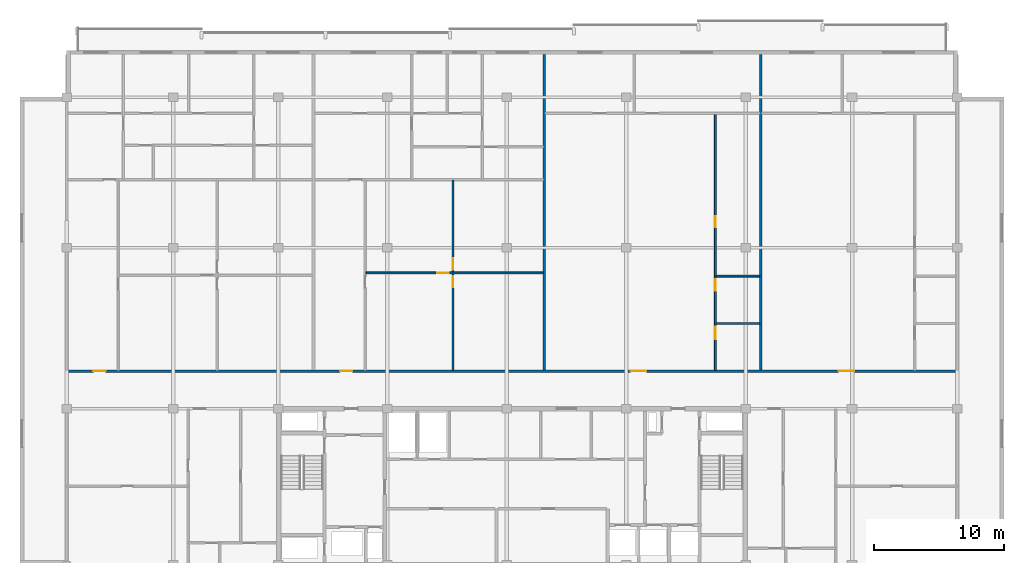
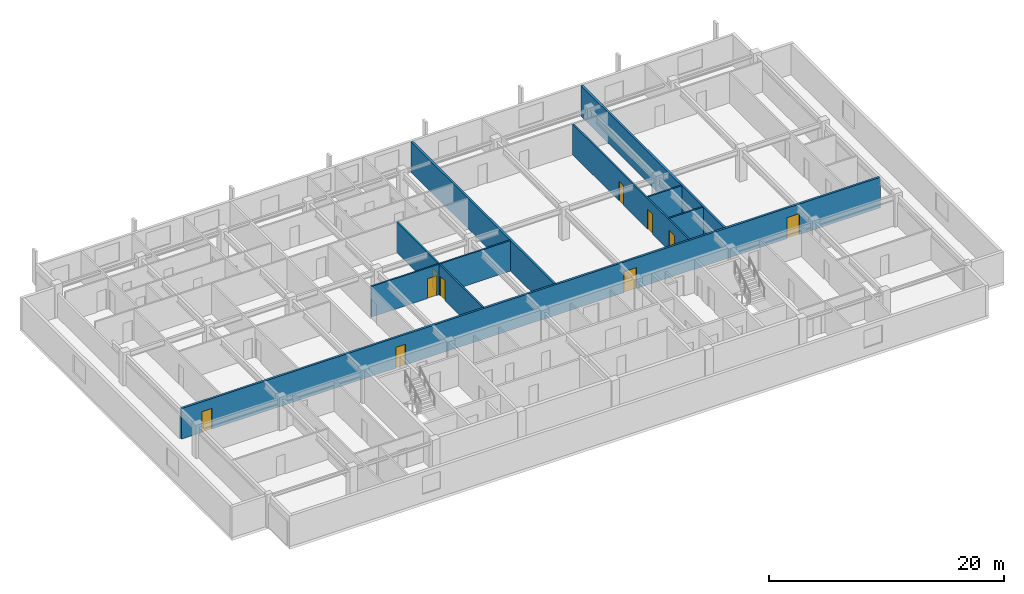
# One storey, part 6 of 11: 10 doors, 8 walls, 10 openings.
"""IFC4 building model written with IfcOpenShell, lengths in metres."""

from ifc_helpers import new_model, si_unit, direction, frame, frame_2d, origin, place, context, subcontext, project, spatial, rectangle, extrude, material, layer, layer_set, type_object, element, fill, save


model = new_model("IFC4")

# Units and contexts
model_context = context("Model", 3, precision=1e-05, world=origin(), true_north=direction((0.0, 1.0)))
body_context = subcontext(model_context, "Body", "Model", "MODEL_VIEW")
ifc_project = project(units=[si_unit("LENGTHUNIT", "METRE"), si_unit("AREAUNIT", "SQUARE_METRE"), si_unit("VOLUMEUNIT", "CUBIC_METRE"), si_unit("PLANEANGLEUNIT", "RADIAN"), si_unit("MASSUNIT", "GRAM", prefix="KILO")], contexts=[model_context])

# Site, building, storey
site_placement = place(None, origin())
site = spatial("IfcSite", under=ifc_project, at=site_placement, CompositionType="ELEMENT")
building_placement = place(site_placement, origin())
building = spatial("IfcBuilding", under=site, at=building_placement, Name="Korimba Cascade Residences", CompositionType="ELEMENT")
storey_placement = place(building_placement, frame((0.0, 0.0, 249.35009765625)))
storey = spatial("IfcBuildingStorey", under=building, at=storey_placement, Name="L72", CompositionType="ELEMENT", Elevation=249.35009765625)

# Walls
ifc_material_1 = material(Name="Precast concrete C40/50", Category="concrete")
ifc_layer_1 = layer(ifc_material_1, 0.199951171875)
ifc_layer_set_1 = layer_set([ifc_layer_1], Name="Precast concrete C40/50")
wall_type_1 = type_object("IfcWallType", Name="WAL-IT-200", PredefinedType="PARTITIONING", material=ifc_layer_set_1)
for number, where, z_axis, x_axis, name in (
    (1, (96.588623046875, 70.179931640625, 0.0), (0.0, 0.0, 1.0), (0.0, 1.0, 0.0), "L72 Partition Wall WAL-L72-T1-DEM-2"),
    (2, (113.259033203125, 70.179931640625, 0.0), (0.0, 0.0, 1.0), (0.0, 1.0, 0.0), "L72 Partition Wall WAL-L72-T1-DEM-3"),
):
    element("IfcWall", number, at=place(storey_placement, frame(where, z_axis=z_axis, x_axis=x_axis)), inside=storey, type_object=wall_type_1, Name=name, PredefinedType="PARTITIONING", context=body_context, shape_type="SweptSolid", body=[
        extrude(rectangle(XDim=24.320068359375, YDim=0.199951171875, at=frame_2d((12.16015625, 0.0))), origin(), (0.0, 0.0, 1.0), 3.169921875),
    ])

# Wall, openings, doors
wall_1_placement = place(storey_placement, frame((59.800048828125, 70.10009765625, 0.0), z_axis=(0.0, 0.0, 1.0), x_axis=(1.0, 0.0, 0.0)))
wall_1 = element("IfcWall", 3, at=wall_1_placement, inside=storey, type_object=wall_type_1, Name="L72 Partition Wall WAL-L72-T1-CORN", PredefinedType="PARTITIONING", context=body_context, shape_type="SweptSolid", body=[
    extrude(rectangle(XDim=68.599853515625, YDim=0.199951171875, at=frame_2d((34.2998046875, 0.0))), origin(), (0.0, 0.0, 1.0), 3.169921875),
])
opening_1_placement = place(wall_1_placement, frame((2.044921875, 0.0, 0.0)))
opening_1 = element("IfcOpeningElement", 4, at=opening_1_placement, cuts=wall_1, Name="Opening D-UN1", PredefinedType="OPENING", context=body_context, shape_type="SweptSolid", body=[
    extrude(rectangle(XDim=0.949951171875, YDim=2.14990234375, at=frame_2d((0.47509765625, 1.074951171875))), frame((0.0, 0.10986328125, 0.0), z_axis=(0.0, -1.0, 0.0), x_axis=(1.0, 0.0, 0.0)), (0.0, 0.0, 1.0), 0.219970703125),
])
opening_2_placement = place(wall_1_placement, frame((21.05419921875, 0.0, 0.0)))
opening_2 = element("IfcOpeningElement", 5, at=opening_2_placement, cuts=wall_1, Name="Opening D-UN1", PredefinedType="OPENING", context=body_context, shape_type="SweptSolid", body=[
    extrude(rectangle(XDim=0.949951171875, YDim=2.14990234375, at=frame_2d((0.47509765625, 1.074951171875))), frame((0.0, 0.10986328125, 0.0), z_axis=(0.0, -1.0, 0.0), x_axis=(1.0, 0.0, 0.0)), (0.0, 0.0, 1.0), 0.219970703125),
])
opening_3_placement = place(wall_1_placement, frame((43.433837890625, 0.0, 0.0)))
opening_3 = element("IfcOpeningElement", 6, at=opening_3_placement, cuts=wall_1, Name="Opening D-AM1", PredefinedType="OPENING", context=body_context, shape_type="SweptSolid", body=[
    extrude(rectangle(XDim=1.219970703125, YDim=2.179931640625, at=frame_2d((0.60986328125, 1.08984375))), frame((0.0, 0.10986328125, 0.0), z_axis=(0.0, -1.0, 0.0), x_axis=(1.0, 0.0, 0.0)), (0.0, 0.0, 1.0), 0.219970703125),
])
opening_4_placement = place(wall_1_placement, frame((59.45458984375, 0.0, 0.0)))
opening_4 = element("IfcOpeningElement", 7, at=opening_4_placement, cuts=wall_1, Name="Opening D-AM1", PredefinedType="OPENING", context=body_context, shape_type="SweptSolid", body=[
    extrude(rectangle(XDim=1.219970703125, YDim=2.179931640625, at=frame_2d((0.60986328125, 1.08984375))), frame((0.0, 0.10986328125, 0.0), z_axis=(0.0, -1.0, 0.0), x_axis=(1.0, 0.0, 0.0)), (0.0, 0.0, 1.0), 0.219970703125),
])
ifc_material_2 = material(Name="Fire-Rated Glazed Timber Suite Door", Category="wood")
door_type_1 = type_object("IfcDoorType", Name="DR-FD60-1200", OperationType="NOTDEFINED", PredefinedType="DOOR", material=ifc_material_2)
door_1_placement = place(opening_3_placement, origin())
door_1 = element("IfcDoor", 8, at=door_1_placement, inside=storey, type_object=door_type_1, Name="L72-T1-U03 Transfer Reception Foyer Door", OperationType="SINGLE_SWING_RIGHT", OverallHeight=2.179931640625, OverallWidth=1.219970703125, PredefinedType="DOOR", context=body_context, shape_type="SweptSolid", body=[
    extrude(rectangle(XDim=1.219970703125, YDim=2.179931640625, at=frame_2d((0.60986328125, 1.08984375))), frame((0.0, 0.02490234375, 0.0), z_axis=(0.0, -1.0, 0.0), x_axis=(1.0, 0.0, 0.0)), (0.0, 0.0, 1.0), 0.050048828125),
])
fill(opening_3, door_1)
door_2_placement = place(opening_4_placement, origin())
door_2 = element("IfcDoor", 9, at=door_2_placement, inside=storey, type_object=door_type_1, Name="L72-T1-U04 Business Collaboration Office Door", OperationType="SINGLE_SWING_LEFT", OverallHeight=2.179931640625, OverallWidth=1.219970703125, PredefinedType="DOOR", context=body_context, shape_type="SweptSolid", body=[
    extrude(rectangle(XDim=1.219970703125, YDim=2.179931640625, at=frame_2d((0.60986328125, 1.08984375))), frame((0.0, 0.02490234375, 0.0), z_axis=(0.0, -1.0, 0.0), x_axis=(1.0, 0.0, 0.0)), (0.0, 0.0, 1.0), 0.050048828125),
])
fill(opening_4, door_2)
ifc_material_3 = material(Name="Fire-Rated Hardwood Apartment Entrance Door", Category="wood")
door_type_2 = type_object("IfcDoorType", Name="DR-FD60-950", OperationType="NOTDEFINED", PredefinedType="DOOR", material=ifc_material_3)
door_3_placement = place(opening_1_placement, origin())
door_3 = element("IfcDoor", 10, at=door_3_placement, inside=storey, type_object=door_type_2, Name="Unit L72-T1-U01 Entrance Door", OperationType="SINGLE_SWING_RIGHT", OverallHeight=2.14990234375, OverallWidth=0.949951171875, PredefinedType="DOOR", context=body_context, shape_type="SweptSolid", body=[
    extrude(rectangle(XDim=0.949951171875, YDim=2.14990234375, at=frame_2d((0.47509765625, 1.074951171875))), frame((0.0, 0.02490234375, 0.0), z_axis=(0.0, -1.0, 0.0), x_axis=(1.0, 0.0, 0.0)), (0.0, 0.0, 1.0), 0.050048828125),
])
fill(opening_1, door_3)
door_4_placement = place(opening_2_placement, origin())
door_4 = element("IfcDoor", 11, at=door_4_placement, inside=storey, type_object=door_type_2, Name="Unit L72-T1-U02 Entrance Door", OperationType="SINGLE_SWING_LEFT", OverallHeight=2.14990234375, OverallWidth=0.949951171875, PredefinedType="DOOR", context=body_context, shape_type="SweptSolid", body=[
    extrude(rectangle(XDim=0.949951171875, YDim=2.14990234375, at=frame_2d((0.47509765625, 1.074951171875))), frame((0.0, 0.02490234375, 0.0), z_axis=(0.0, -1.0, 0.0), x_axis=(1.0, 0.0, 0.0)), (0.0, 0.0, 1.0), 0.050048828125),
])
fill(opening_2, door_4)

ifc_material_4 = material(Name="Insulated Acoustic Stud Partition", Category="gypsum")
ifc_layer_2 = layer(ifc_material_4, 0.14990234375)
ifc_layer_set_2 = layer_set([ifc_layer_2], Name="Insulated Acoustic Stud Partition")
wall_type_2 = type_object("IfcWallType", Name="WAL-PART-150", PredefinedType="PARTITIONING", material=ifc_layer_set_2)
wall_2_placement = place(storey_placement, frame((89.5537109375, 70.159912109375, 0.0), z_axis=(0.0, 0.0, 1.0), x_axis=(0.0, 1.0, 0.0)))
wall_2 = element("IfcWall", 12, at=wall_2_placement, inside=storey, type_object=wall_type_2, Name="L72 Partition Wall WAL-L72-T1-U02-FMV", PredefinedType="PARTITIONING", context=body_context, shape_type="SweptSolid", body=[
    extrude(rectangle(XDim=14.650146484375, YDim=0.14990234375, at=frame_2d((7.3251953125, 0.0))), origin(), (0.0, 0.0, 1.0), 3.169921875),
])
opening_5_placement = place(wall_2_placement, frame((6.4150390625, 0.0, 0.0)))
opening_5 = element("IfcOpeningElement", 13, at=opening_5_placement, cuts=wall_2, Name="Opening D-BT1", PredefinedType="OPENING", context=body_context, shape_type="SweptSolid", body=[
    extrude(rectangle(XDim=0.840087890625, YDim=2.0400390625, at=frame_2d((0.419921875, 1.02001953125))), frame((0.0, 0.0849609375, 0.0), z_axis=(0.0, -1.0, 0.0), x_axis=(1.0, 0.0, 0.0)), (0.0, 0.0, 1.0), 0.169921875),
])
opening_6_placement = place(wall_2_placement, frame((7.7548828125, 0.0, 0.0)))
opening_6 = element("IfcOpeningElement", 14, at=opening_6_placement, cuts=wall_2, Name="Opening D-IN2", PredefinedType="OPENING", context=body_context, shape_type="SweptSolid", body=[
    extrude(rectangle(XDim=0.8798828125, YDim=2.06005859375, at=frame_2d((0.43994140625, 1.030029296875))), frame((0.0, 0.0849609375, 0.0), z_axis=(0.0, -1.0, 0.0), x_axis=(1.0, 0.0, 0.0)), (0.0, 0.0, 1.0), 0.169921875),
])
ifc_material_5 = material(Name="Moisture-Resistant Bathroom Timber Door", Category="wood")
door_type_3 = type_object("IfcDoorType", Name="DR-INT-850", OperationType="NOTDEFINED", PredefinedType="DOOR", material=ifc_material_5)
door_5_placement = place(opening_5_placement, origin())
door_5 = element("IfcDoor", 15, at=door_5_placement, inside=storey, type_object=door_type_3, Name="L72-T1-U02 Wardrobe Door", OperationType="SINGLE_SWING_RIGHT", OverallHeight=2.0400390625, OverallWidth=0.840087890625, PredefinedType="DOOR", context=body_context, shape_type="SweptSolid", body=[
    extrude(rectangle(XDim=0.840087890625, YDim=2.0400390625, at=frame_2d((0.419921875, 1.02001953125))), frame((0.0, 0.02490234375, 0.0), z_axis=(0.0, -1.0, 0.0), x_axis=(1.0, 0.0, 0.0)), (0.0, 0.0, 1.0), 0.050048828125),
])
fill(opening_5, door_5)
ifc_material_6 = material(Name="Acoustic Timber Bedroom Door", Category="wood")
door_type_4 = type_object("IfcDoorType", Name="DR-INT-880", OperationType="NOTDEFINED", PredefinedType="DOOR", material=ifc_material_6)
door_6_placement = place(opening_6_placement, origin())
door_6 = element("IfcDoor", 16, at=door_6_placement, inside=storey, type_object=door_type_4, Name="L72-T1-U02 Music Lounge Door", OperationType="SINGLE_SWING_LEFT", OverallHeight=2.06005859375, OverallWidth=0.8798828125, PredefinedType="DOOR", context=body_context, shape_type="SweptSolid", body=[
    extrude(rectangle(XDim=0.8798828125, YDim=2.06005859375, at=frame_2d((0.43994140625, 1.030029296875))), frame((0.0, 0.02490234375, 0.0), z_axis=(0.0, -1.0, 0.0), x_axis=(1.0, 0.0, 0.0)), (0.0, 0.0, 1.0), 0.050048828125),
])
fill(opening_6, door_6)

# Wall, opening, door
wall_3_placement = place(storey_placement, frame((82.839111328125, 77.6650390625, 0.0), z_axis=(0.0, 0.0, 1.0), x_axis=(1.0, 0.0, 0.0)))
wall_3 = element("IfcWall", 17, at=wall_3_placement, inside=storey, type_object=wall_type_2, Name="L72 Partition Wall WAL-L72-T1-U02-FMH", PredefinedType="PARTITIONING", context=body_context, shape_type="SweptSolid", body=[
    extrude(rectangle(XDim=13.66943359375, YDim=0.14990234375, at=frame_2d((6.834716796875, 0.0))), origin(), (0.0, 0.0, 1.0), 3.169921875),
])
opening_7_placement = place(wall_3_placement, frame((5.509521484375, 0.0, 0.0)))
opening_7 = element("IfcOpeningElement", 18, at=opening_7_placement, cuts=wall_3, Name="Opening D-IN2", PredefinedType="OPENING", context=body_context, shape_type="SweptSolid", body=[
    extrude(rectangle(XDim=0.8798828125, YDim=2.06005859375, at=frame_2d((0.43994140625, 1.030029296875))), frame((0.0, 0.0849609375, 0.0), z_axis=(0.0, -1.0, 0.0), x_axis=(1.0, 0.0, 0.0)), (0.0, 0.0, 1.0), 0.169921875),
])
door_7_placement = place(opening_7_placement, origin())
door_7 = element("IfcDoor", 19, at=door_7_placement, inside=storey, type_object=door_type_4, Name="L72-T1-U02 Library Salon Door", OperationType="SINGLE_SWING_RIGHT", OverallHeight=2.06005859375, OverallWidth=0.8798828125, PredefinedType="DOOR", context=body_context, shape_type="SweptSolid", body=[
    extrude(rectangle(XDim=0.8798828125, YDim=2.06005859375, at=frame_2d((0.43994140625, 1.030029296875))), frame((0.0, 0.02490234375, 0.0), z_axis=(0.0, -1.0, 0.0), x_axis=(1.0, 0.0, 0.0)), (0.0, 0.0, 1.0), 0.050048828125),
])
fill(opening_7, door_7)

# Walls
for number, where, z_axis, x_axis, name in (
    (20, (109.819091796875, 73.77001953125, 0.0), (0.0, 0.0, 1.0), (1.0, 0.0, 0.0), "L72 Partition Wall WAL-L72-T1-U03-WCH"),
    (21, (109.819091796875, 77.419921875, 0.0), (0.0, 0.0, 1.0), (1.0, 0.0, 0.0), "L72 Partition Wall WAL-L72-T1-U03-WCH2"),
):
    element("IfcWall", number, at=place(storey_placement, frame(where, z_axis=z_axis, x_axis=x_axis)), inside=storey, type_object=wall_type_2, Name=name, PredefinedType="PARTITIONING", context=body_context, shape_type="SweptSolid", body=[
        extrude(rectangle(XDim=3.360107421875, YDim=0.14990234375, at=frame_2d((1.68017578125, 0.0))), origin(), (0.0, 0.0, 1.0), 3.169921875),
    ])

# Wall, openings, doors
wall_4_placement = place(storey_placement, frame((109.759033203125, 70.159912109375, 0.0), z_axis=(0.0, 0.0, 1.0), x_axis=(0.0, 1.0, 0.0)))
wall_4 = element("IfcWall", 22, at=wall_4_placement, inside=storey, type_object=wall_type_2, Name="L72 Partition Wall WAL-L72-T1-U03-WCV", PredefinedType="PARTITIONING", context=body_context, shape_type="SweptSolid", body=[
    extrude(rectangle(XDim=19.72998046875, YDim=0.14990234375, at=frame_2d((9.864990234375, 0.0))), origin(), (0.0, 0.0, 1.0), 3.169921875),
])
opening_8_placement = place(wall_4_placement, frame((2.406005859375, 0.0, 0.0)))
opening_8 = element("IfcOpeningElement", 23, at=opening_8_placement, cuts=wall_4, Name="Opening D-AC1", PredefinedType="OPENING", context=body_context, shape_type="SweptSolid", body=[
    extrude(rectangle(XDim=0.9599609375, YDim=2.10009765625, at=frame_2d((0.47998046875, 1.050048828125))), frame((0.0, 0.0849609375, 0.0), z_axis=(0.0, -1.0, 0.0), x_axis=(1.0, 0.0, 0.0)), (0.0, 0.0, 1.0), 0.169921875),
])
opening_9_placement = place(wall_4_placement, frame((6.132568359375, 0.0, 0.0)))
opening_9 = element("IfcOpeningElement", 24, at=opening_9_placement, cuts=wall_4, Name="Opening D-IN2", PredefinedType="OPENING", context=body_context, shape_type="SweptSolid", body=[
    extrude(rectangle(XDim=0.8798828125, YDim=2.06005859375, at=frame_2d((0.43994140625, 1.030029296875))), frame((0.0, 0.0849609375, 0.0), z_axis=(0.0, -1.0, 0.0), x_axis=(1.0, 0.0, 0.0)), (0.0, 0.0, 1.0), 0.169921875),
])
opening_10_placement = place(wall_4_placement, frame((11.034423828125, 0.0, 0.0)))
opening_10 = element("IfcOpeningElement", 25, at=opening_10_placement, cuts=wall_4, Name="Opening D-BT1", PredefinedType="OPENING", context=body_context, shape_type="SweptSolid", body=[
    extrude(rectangle(XDim=0.840087890625, YDim=2.0400390625, at=frame_2d((0.419921875, 1.02001953125))), frame((0.0, 0.0849609375, 0.0), z_axis=(0.0, -1.0, 0.0), x_axis=(1.0, 0.0, 0.0)), (0.0, 0.0, 1.0), 0.169921875),
])
ifc_material_7 = material(Name="Accessible Acoustic Timber WC Door", Category="wood")
door_type_5 = type_object("IfcDoorType", Name="DR-ACC-950", OperationType="NOTDEFINED", PredefinedType="DOOR", material=ifc_material_7)
door_8_placement = place(opening_8_placement, origin())
door_8 = element("IfcDoor", 26, at=door_8_placement, inside=storey, type_object=door_type_5, Name="L72-T1-U03 Accessible WC Door", OperationType="SINGLE_SWING_RIGHT", OverallHeight=2.10009765625, OverallWidth=0.9599609375, PredefinedType="DOOR", context=body_context, shape_type="SweptSolid", body=[
    extrude(rectangle(XDim=0.9599609375, YDim=2.10009765625, at=frame_2d((0.47998046875, 1.050048828125))), frame((0.0, 0.02490234375, 0.0), z_axis=(0.0, -1.0, 0.0), x_axis=(1.0, 0.0, 0.0)), (0.0, 0.0, 1.0), 0.050048828125),
])
fill(opening_8, door_8)
door_9_placement = place(opening_10_placement, origin())
door_9 = element("IfcDoor", 27, at=door_9_placement, inside=storey, type_object=door_type_3, Name="L72-T1-U03 Suite Store Door", OperationType="SINGLE_SWING_RIGHT", OverallHeight=2.0400390625, OverallWidth=0.840087890625, PredefinedType="DOOR", context=body_context, shape_type="SweptSolid", body=[
    extrude(rectangle(XDim=0.840087890625, YDim=2.0400390625, at=frame_2d((0.419921875, 1.02001953125))), frame((0.0, 0.02490234375, 0.0), z_axis=(0.0, -1.0, 0.0), x_axis=(1.0, 0.0, 0.0)), (0.0, 0.0, 1.0), 0.050048828125),
])
fill(opening_10, door_9)
door_10_placement = place(opening_9_placement, origin())
door_10 = element("IfcDoor", 28, at=door_10_placement, inside=storey, type_object=door_type_4, Name="L72-T1-U03 Restroom WC Door", OperationType="SINGLE_SWING_LEFT", OverallHeight=2.06005859375, OverallWidth=0.8798828125, PredefinedType="DOOR", context=body_context, shape_type="SweptSolid", body=[
    extrude(rectangle(XDim=0.8798828125, YDim=2.06005859375, at=frame_2d((0.43994140625, 1.030029296875))), frame((0.0, 0.02490234375, 0.0), z_axis=(0.0, -1.0, 0.0), x_axis=(1.0, 0.0, 0.0)), (0.0, 0.0, 1.0), 0.050048828125),
])
fill(opening_9, door_10)

save(model, "model.ifc")
